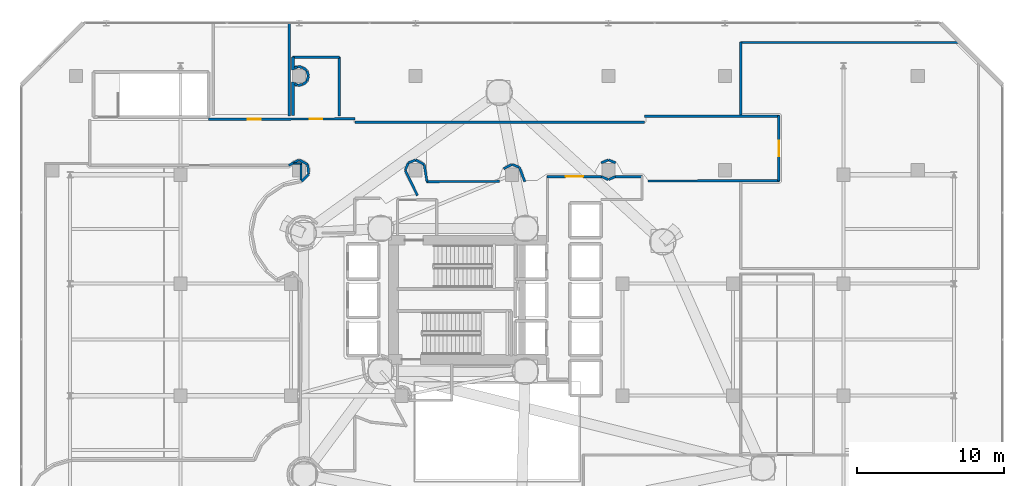
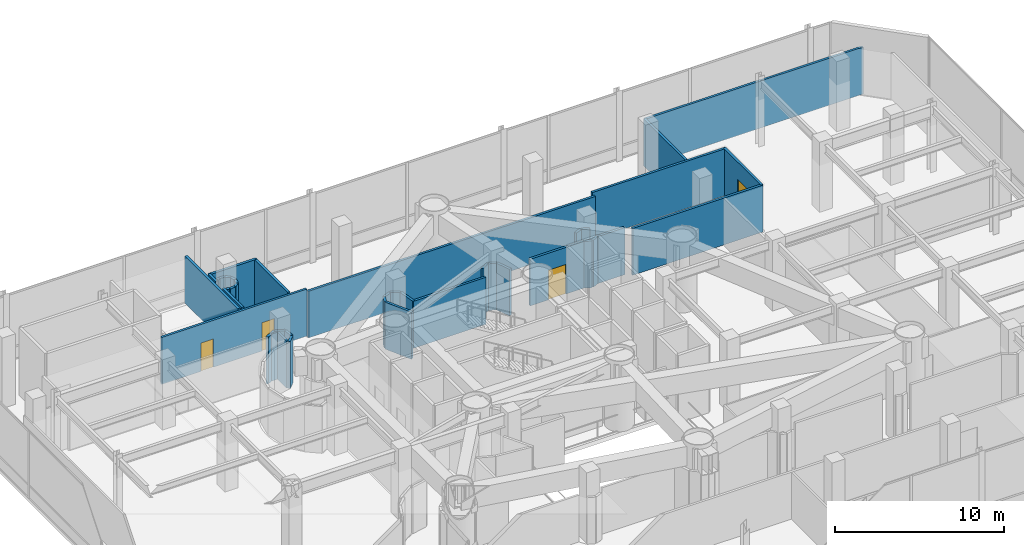
# One storey, part 33 of 40: 41 walls, 4 doors, 4 openings.
"""IFC4 building model written with IfcOpenShell, lengths in metres."""

from ifc_helpers import new_model, si_unit, direction, frame, frame_2d, origin, place, context, subcontext, project, spatial, rectangle, extrude, material, layer, layer_set, type_object, element, fill, save


model = new_model("IFC4")

# Units and contexts
model_context = context("Model", 3, precision=1e-05, world=origin(), true_north=direction((0.0, 1.0)))
body_context = subcontext(model_context, "Body", "Model", "MODEL_VIEW")
ifc_project = project(units=[si_unit("LENGTHUNIT", "METRE"), si_unit("AREAUNIT", "SQUARE_METRE"), si_unit("VOLUMEUNIT", "CUBIC_METRE"), si_unit("PLANEANGLEUNIT", "RADIAN"), si_unit("MASSUNIT", "GRAM", prefix="KILO")], contexts=[model_context])

# Site, building, storey
site_placement = place(None, origin())
site = spatial("IfcSite", under=ifc_project, at=site_placement, CompositionType="ELEMENT")
building_placement = place(site_placement, origin())
building = spatial("IfcBuilding", under=site, at=building_placement, Name="Qianvela Tower", CompositionType="ELEMENT")
storey_placement = place(building_placement, frame((0.0, 0.0, 20.60009765625)))
storey = spatial("IfcBuildingStorey", under=building, at=storey_placement, Name="L04", CompositionType="ELEMENT", Elevation=20.60009765625)

# Wall, opening, door
ifc_material_1 = material(Name="Fire-Rated Gypsum and Concrete Block", Category="concrete")
ifc_layer_1 = layer(ifc_material_1, 0.159912109375)
ifc_layer_set_1 = layer_set([ifc_layer_1], Name="Fire-Rated Gypsum and Concrete Block")
wall_type_1 = type_object("IfcWallType", Name="WT-CORR-160", PredefinedType="PARTITIONING", material=ifc_layer_set_1)
wall_1_placement = place(storey_placement, frame((39.8798828125, 37.069091796875, 0.0), z_axis=(0.0, 0.0, 1.0), x_axis=(1.0, 0.0, 0.0)))
wall_1 = element("IfcWall", 1, at=wall_1_placement, inside=storey, type_object=wall_type_1, Name="L04 Partition 15", PredefinedType="PARTITIONING", context=body_context, shape_type="SweptSolid", body=[
    extrude(rectangle(XDim=3.70751953125, YDim=0.159912109375, at=frame_2d((1.853759765625, 0.0))), origin(), (0.0, 0.0, 1.0), 3.3779296875),
])
opening_1_placement = place(wall_1_placement, frame((1.253662109375, 0.0, 0.0)))
opening_1 = element("IfcOpeningElement", 2, at=opening_1_placement, cuts=wall_1, Name="Opening D-LB1", PredefinedType="OPENING", context=body_context, shape_type="SweptSolid", body=[
    extrude(rectangle(XDim=1.199951171875, YDim=2.14990234375, at=frame_2d((0.60009765625, 1.074951171875))), frame((0.0, 0.08984375, 0.0), z_axis=(0.0, -1.0, 0.0), x_axis=(1.0, 0.0, 0.0)), (0.0, 0.0, 1.0), 0.179931640625),
])
ifc_material_2 = material(Name="Glazed Fire-Rated Steel Frame", Category="steel")
door_type_1 = type_object("IfcDoorType", Name="DT-LOBBY-FD90", OperationType="NOTDEFINED", PredefinedType="DOOR", material=ifc_material_2)
door_1_placement = place(opening_1_placement, origin())
door_1 = element("IfcDoor", 3, at=door_1_placement, inside=storey, type_object=door_type_1, Name="L04 Door L04 Lift Lobby to L04 Concourse Gallery Corridor", OperationType="SINGLE_SWING_LEFT", OverallHeight=2.14990234375, OverallWidth=1.199951171875, PredefinedType="DOOR", context=body_context, shape_type="SweptSolid", body=[
    extrude(rectangle(XDim=1.199951171875, YDim=2.14990234375, at=frame_2d((0.60009765625, 1.074951171875))), frame((0.0, 0.02490234375, 0.0), z_axis=(0.0, -1.0, 0.0), x_axis=(1.0, 0.0, 0.0)), (0.0, 0.0, 1.0), 0.050048828125),
])
fill(opening_1, door_1)

# Walls
wall_2_placement = place(storey_placement, frame((43.57470703125, 37.07177734375, 0.0), z_axis=(0.0, 0.0, 1.0), x_axis=(0.908696751383, -0.417456840913, 0.0)))
element("IfcWall", 4, at=wall_2_placement, inside=storey, type_object=wall_type_1, Name="L04 Partition 16", PredefinedType="PARTITIONING", context=body_context, shape_type="SweptSolid", body=[
    extrude(rectangle(XDim=0.5029296875, YDim=0.159912109375, at=frame_2d((0.25146484375, 0.0))), origin(), (0.0, 0.0, 1.0), 3.3779296875),
])
wall_3_placement = place(storey_placement, frame((44.0576171875, 36.86181640625, 0.0), z_axis=(0.0, 0.0, 1.0), x_axis=(0.908696751383, 0.417456840913, 0.0)))
element("IfcWall", 5, at=wall_3_placement, inside=storey, type_object=wall_type_1, Name="L04 Partition 17", PredefinedType="PARTITIONING", context=body_context, shape_type="SweptSolid", body=[
    extrude(rectangle(XDim=0.5029296875, YDim=0.159912109375, at=frame_2d((0.25146484375, 0.0))), origin(), (0.0, 0.0, 1.0), 3.39990234375),
])
wall_4_placement = place(storey_placement, frame((44.501708984375, 37.069091796875, 0.0), z_axis=(0.0, 0.0, 1.0), x_axis=(1.0, 0.0, 0.0)))
element("IfcWall", 6, at=wall_4_placement, inside=storey, type_object=wall_type_1, Name="L04 Partition 18", PredefinedType="PARTITIONING", context=body_context, shape_type="SweptSolid", body=[
    extrude(rectangle(XDim=1.8583984375, YDim=0.159912109375, at=frame_2d((0.92919921875, 0.0))), origin(), (0.0, 0.0, 1.0), 3.39990234375),
])
wall_5_placement = place(storey_placement, frame((23.221435546875, 36.742919921875, 0.0), z_axis=(0.0, 0.0, 1.0), x_axis=(0.696042953303, 0.718000144259, 0.0)))
element("IfcWall", 7, at=wall_5_placement, inside=storey, type_object=wall_type_1, Name="L04 Partition 109", PredefinedType="PARTITIONING", context=body_context, shape_type="SweptSolid", body=[
    extrude(rectangle(XDim=0.667236328125, YDim=0.159912109375, at=frame_2d((0.33349609375, 0.0))), origin(), (0.0, 0.0, 1.0), 3.39990234375),
])
for number, where, z_axis, x_axis, name in (
    (8, (23.694580078125, 37.24658203125, 0.0), (0.0, 0.0, 1.0), (-0.098164363006, 0.995170215509, 0.0), "L04 Partition 110"),
    (9, (23.6162109375, 37.899658203125, 0.0), (0.0, 0.0, 1.0), (-0.882042462076, 0.471169921679, 0.0), "L04 Partition 111"),
):
    element("IfcWall", number, at=place(storey_placement, frame(where, z_axis=z_axis, x_axis=x_axis)), inside=storey, type_object=wall_type_1, Name=name, PredefinedType="PARTITIONING", context=body_context, shape_type="SweptSolid", body=[
        extrude(rectangle(XDim=0.631591796875, YDim=0.159912109375, at=frame_2d((0.31591796875, 0.0))), origin(), (0.0, 0.0, 1.0), 3.39990234375),
    ])
wall_6_placement = place(storey_placement, frame((23.02978515625, 38.197265625, 0.0), z_axis=(0.0, 0.0, 1.0), x_axis=(-0.880007613405, -0.474959577595, 0.0)))
element("IfcWall", 10, at=wall_6_placement, inside=storey, type_object=wall_type_1, Name="L04 Partition 112", PredefinedType="PARTITIONING", context=body_context, shape_type="SweptSolid", body=[
    extrude(rectangle(XDim=0.77880859375, YDim=0.159912109375, at=frame_2d((0.389404296875, 0.0))), origin(), (0.0, 0.0, 1.0), 3.39990234375),
])

# Wall, openings, doors
wall_7_placement = place(storey_placement, frame((16.89990234375, 40.955810546875, 0.0), z_axis=(0.0, 0.0, 1.0), x_axis=(0.999994432489, 0.003336913407, 0.0)))
wall_7 = element("IfcWall", 11, at=wall_7_placement, inside=storey, type_object=wall_type_1, Name="L04 Partition 115 seg 2", PredefinedType="PARTITIONING", context=body_context, shape_type="SweptSolid", body=[
    extrude(rectangle(XDim=9.9501953125, YDim=0.159912109375, at=frame_2d((4.97509765625, 0.0))), origin(), (0.0, 0.0, 1.0), 3.39990234375),
])
opening_2_placement = place(wall_7_placement, frame((6.87255859375, 0.0, 0.0)))
opening_2 = element("IfcOpeningElement", 12, at=opening_2_placement, cuts=wall_7, Name="Opening D-WC1", PredefinedType="OPENING", context=body_context, shape_type="SweptSolid", body=[
    extrude(rectangle(XDim=0.860107421875, YDim=2.050048828125, at=frame_2d((0.43017578125, 1.02490234375))), frame((0.0, 0.08984375, 0.0), z_axis=(0.0, -1.0, 0.0), x_axis=(1.0, 0.0, 0.0)), (0.0, 0.0, 1.0), 0.179931640625),
])
opening_3_placement = place(wall_7_placement, frame((2.677734375, 0.0, 0.0)))
opening_3 = element("IfcOpeningElement", 13, at=opening_3_placement, cuts=wall_7, Name="Opening D-WC1", PredefinedType="OPENING", context=body_context, shape_type="SweptSolid", body=[
    extrude(rectangle(XDim=0.860107421875, YDim=2.050048828125, at=frame_2d((0.43017578125, 1.02490234375))), frame((0.0, 0.08984375, 0.0), z_axis=(0.0, -1.0, 0.0), x_axis=(1.0, 0.0, 0.0)), (0.0, 0.0, 1.0), 0.179931640625),
])
ifc_material_3 = material(Name="Moisture-Sealed Acoustic Timber Door", Category="wood")
door_type_2 = type_object("IfcDoorType", Name="DT-WC-860", OperationType="NOTDEFINED", PredefinedType="DOOR", material=ifc_material_3)
door_2_placement = place(opening_2_placement, origin())
door_2 = element("IfcDoor", 14, at=door_2_placement, inside=storey, type_object=door_type_2, Name="L04 Door L04 Accessible WC to L04 Concourse Gallery Corridor", OperationType="SINGLE_SWING_RIGHT", OverallHeight=2.050048828125, OverallWidth=0.860107421875, PredefinedType="DOOR", context=body_context, shape_type="SweptSolid", body=[
    extrude(rectangle(XDim=0.860107421875, YDim=2.050048828125, at=frame_2d((0.43017578125, 1.02490234375))), frame((0.0, 0.02490234375, 0.0), z_axis=(0.0, -1.0, 0.0), x_axis=(1.0, 0.0, 0.0)), (0.0, 0.0, 1.0), 0.050048828125),
])
fill(opening_2, door_2)
door_3_placement = place(opening_3_placement, origin())
door_3 = element("IfcDoor", 15, at=door_3_placement, inside=storey, type_object=door_type_2, Name="L04 Door L04 Public Washrooms to L04 Concourse Gallery Corridor", OperationType="SINGLE_SWING_RIGHT", OverallHeight=2.050048828125, OverallWidth=0.860107421875, PredefinedType="DOOR", context=body_context, shape_type="SweptSolid", body=[
    extrude(rectangle(XDim=0.860107421875, YDim=2.050048828125, at=frame_2d((0.43017578125, 1.02490234375))), frame((0.0, 0.02490234375, 0.0), z_axis=(0.0, -1.0, 0.0), x_axis=(1.0, 0.0, 0.0)), (0.0, 0.0, 1.0), 0.050048828125),
])
fill(opening_3, door_3)

# Walls
wall_8_placement = place(storey_placement, frame((26.85009765625, 40.76904296875, 0.0), z_axis=(0.0, 0.0, 1.0), x_axis=(1.0, 0.0, 0.0)))
element("IfcWall", 16, at=wall_8_placement, inside=storey, type_object=wall_type_1, Name="L04 Partition 116", PredefinedType="PARTITIONING", context=body_context, shape_type="SweptSolid", body=[
    extrude(rectangle(XDim=19.64990234375, YDim=0.159912109375, at=frame_2d((9.824951171875, 0.0))), origin(), (0.0, 0.0, 1.0), 3.3779296875),
])
wall_9_placement = place(storey_placement, frame((46.5, 41.1689453125, 0.0), z_axis=(0.0, 0.0, 1.0), x_axis=(1.0, 0.0, 0.0)))
element("IfcWall", 17, at=wall_9_placement, inside=storey, type_object=wall_type_1, Name="L04 Partition 117", PredefinedType="PARTITIONING", context=body_context, shape_type="SweptSolid", body=[
    extrude(rectangle(XDim=9.14990234375, YDim=0.159912109375, at=frame_2d((4.574951171875, 0.0))), origin(), (0.0, 0.0, 1.0), 3.39990234375),
])

# Wall, opening, door
wall_10_placement = place(storey_placement, frame((55.618896484375, 41.199951171875, 0.0), z_axis=(0.0, 0.0, 1.0), x_axis=(0.0, -1.0, 0.0)))
wall_10 = element("IfcWall", 18, at=wall_10_placement, inside=storey, type_object=wall_type_1, Name="L04 Partition 118", PredefinedType="PARTITIONING", context=body_context, shape_type="SweptSolid", body=[
    extrude(rectangle(XDim=4.441650390625, YDim=0.159912109375, at=frame_2d((2.220703125, 0.0))), origin(), (0.0, 0.0, 1.0), 3.39990234375),
])
opening_4_placement = place(wall_10_placement, frame((1.69580078125, 0.0, 0.0)))
opening_4 = element("IfcOpeningElement", 19, at=opening_4_placement, cuts=wall_10, Name="Opening D-PL1", PredefinedType="OPENING", context=body_context, shape_type="SweptSolid", body=[
    extrude(rectangle(XDim=1.050048828125, YDim=2.14990234375, at=frame_2d((0.52490234375, 1.074951171875))), frame((0.0, 0.08984375, 0.0), z_axis=(0.0, -1.0, 0.0), x_axis=(1.0, 0.0, 0.0)), (0.0, 0.0, 1.0), 0.179931640625),
])
ifc_material_4 = material(Name="Insulated Steel Fire Door Q355B", Category="steel")
door_type_3 = type_object("IfcDoorType", Name="DT-PLANT-FD90", OperationType="NOTDEFINED", PredefinedType="DOOR", material=ifc_material_4)
door_4_placement = place(opening_4_placement, origin())
door_4 = element("IfcDoor", 20, at=door_4_placement, inside=storey, type_object=door_type_3, Name="L04 Door L04 Podium Transfer AHU Plant Room to L04 Concourse Gallery Corridor", OperationType="SINGLE_SWING_RIGHT", OverallHeight=2.14990234375, OverallWidth=1.050048828125, PredefinedType="DOOR", context=body_context, shape_type="SweptSolid", body=[
    extrude(rectangle(XDim=1.050048828125, YDim=2.14990234375, at=frame_2d((0.52490234375, 1.074951171875))), frame((0.0, 0.02490234375, 0.0), z_axis=(0.0, -1.0, 0.0), x_axis=(1.0, 0.0, 0.0)), (0.0, 0.0, 1.0), 0.050048828125),
])
fill(opening_4, door_4)

# Walls
wall_11_placement = place(storey_placement, frame((55.64990234375, 36.789306640625, 0.0), z_axis=(0.0, 0.0, 1.0), x_axis=(-0.999996901459, -0.002489391821, 0.0)))
element("IfcWall", 21, at=wall_11_placement, inside=storey, type_object=wall_type_1, Name="L04 Partition 119", PredefinedType="PARTITIONING", context=body_context, shape_type="SweptSolid", body=[
    extrude(rectangle(XDim=8.924560546875, YDim=0.159912109375, at=frame_2d((4.46240234375, 0.0))), origin(), (0.0, 0.0, 1.0), 3.39990234375),
])
wall_12_placement = place(storey_placement, frame((44.5302734375, 38.00244140625, 0.0), z_axis=(0.0, 0.0, 1.0), x_axis=(-0.924045828763, 0.382281710714, 0.0)))
element("IfcWall", 22, at=wall_12_placement, inside=storey, type_object=wall_type_1, Name="L04 Partition 122", PredefinedType="PARTITIONING", context=body_context, shape_type="SweptSolid", body=[
    extrude(rectangle(XDim=0.512939453125, YDim=0.159912109375, at=frame_2d((0.25634765625, 0.0))), origin(), (0.0, 0.0, 1.0), 3.39990234375),
])
wall_13_placement = place(storey_placement, frame((44.03271484375, 38.198486328125, 0.0), z_axis=(0.0, 0.0, 1.0), x_axis=(-0.923976210744, -0.382449947024, 0.0)))
element("IfcWall", 23, at=wall_13_placement, inside=storey, type_object=wall_type_1, Name="L04 Partition 123", PredefinedType="PARTITIONING", context=body_context, shape_type="SweptSolid", body=[
    extrude(rectangle(XDim=0.5126953125, YDim=0.159912109375, at=frame_2d((0.25634765625, 0.0))), origin(), (0.0, 0.0, 1.0), 3.39990234375),
])
wall_14_placement = place(storey_placement, frame((38.372802734375, 36.726318359375, 0.0), z_axis=(0.0, 0.0, 1.0), x_axis=(-0.360220716068, 0.932867105067, 0.0)))
element("IfcWall", 24, at=wall_14_placement, inside=storey, type_object=wall_type_1, Name="L04 Partition 128", PredefinedType="PARTITIONING", context=body_context, shape_type="SweptSolid", body=[
    extrude(rectangle(XDim=1.027587890625, YDim=0.159912109375, at=frame_2d((0.513671875, 0.0))), origin(), (0.0, 0.0, 1.0), 3.3779296875),
])
wall_15_placement = place(storey_placement, frame((37.985595703125, 37.702392578125, 0.0), z_axis=(0.0, 0.0, 1.0), x_axis=(-0.923807847969, 0.382856448334, 0.0)))
element("IfcWall", 25, at=wall_15_placement, inside=storey, type_object=wall_type_1, Name="L04 Partition 129", PredefinedType="PARTITIONING", context=body_context, shape_type="SweptSolid", body=[
    extrude(rectangle(XDim=0.5126953125, YDim=0.159912109375, at=frame_2d((0.25634765625, 0.0))), origin(), (0.0, 0.0, 1.0), 3.3779296875),
])
wall_16_placement = place(storey_placement, frame((37.4853515625, 37.897216796875, 0.0), z_axis=(0.0, 0.0, 1.0), x_axis=(-0.882042462076, -0.471169921679, 0.0)))
element("IfcWall", 26, at=wall_16_placement, inside=storey, type_object=wall_type_1, Name="L04 Partition 130", PredefinedType="PARTITIONING", context=body_context, shape_type="SweptSolid", body=[
    extrude(rectangle(XDim=0.631591796875, YDim=0.159912109375, at=frame_2d((0.31591796875, 0.0))), origin(), (0.0, 0.0, 1.0), 3.3779296875),
])
wall_17_placement = place(storey_placement, frame((36.65478515625, 36.741943359375, 0.0), z_axis=(0.0, 0.0, 1.0), x_axis=(-0.999996836988, -0.00251515701, 0.0)))
element("IfcWall", 27, at=wall_17_placement, inside=storey, type_object=wall_type_1, Name="L04 Partition 132", PredefinedType="PARTITIONING", context=body_context, shape_type="SweptSolid", body=[
    extrude(rectangle(XDim=4.950439453125, YDim=0.159912109375, at=frame_2d((2.47509765625, 0.0))), origin(), (0.0, 0.0, 1.0), 3.39990234375),
])
wall_18_placement = place(storey_placement, frame((31.73486328125, 36.70361328125, 0.0), z_axis=(0.0, 0.0, 1.0), x_axis=(-0.161168629771, 0.986926883197, 0.0)))
element("IfcWall", 28, at=wall_18_placement, inside=storey, type_object=wall_type_1, Name="L04 Partition 133", PredefinedType="PARTITIONING", context=body_context, shape_type="SweptSolid", body=[
    extrude(rectangle(XDim=1.189208984375, YDim=0.159912109375, at=frame_2d((0.5947265625, 0.0))), origin(), (0.0, 0.0, 1.0), 3.39990234375),
])
wall_19_placement = place(storey_placement, frame((31.527099609375, 37.899658203125, 0.0), z_axis=(0.0, 0.0, 1.0), x_axis=(-0.882042462076, 0.471169921679, 0.0)))
element("IfcWall", 29, at=wall_19_placement, inside=storey, type_object=wall_type_1, Name="L04 Partition 134", PredefinedType="PARTITIONING", context=body_context, shape_type="SweptSolid", body=[
    extrude(rectangle(XDim=0.631591796875, YDim=0.159912109375, at=frame_2d((0.31591796875, 0.0))), origin(), (0.0, 0.0, 1.0), 3.39990234375),
])
wall_20_placement = place(storey_placement, frame((30.943603515625, 38.198486328125, 0.0), z_axis=(0.0, 0.0, 1.0), x_axis=(-0.924045828763, -0.382281710714, 0.0)))
element("IfcWall", 30, at=wall_20_placement, inside=storey, type_object=wall_type_1, Name="L04 Partition 135", PredefinedType="PARTITIONING", context=body_context, shape_type="SweptSolid", body=[
    extrude(rectangle(XDim=0.512939453125, YDim=0.159912109375, at=frame_2d((0.25634765625, 0.0))), origin(), (0.0, 0.0, 1.0), 3.3779296875),
])
wall_21_placement = place(storey_placement, frame((30.452880859375, 37.985595703125, 0.0), z_axis=(0.0, 0.0, 1.0), x_axis=(-0.382449947024, -0.923976210744, 0.0)))
element("IfcWall", 31, at=wall_21_placement, inside=storey, type_object=wall_type_1, Name="L04 Partition 136", PredefinedType="PARTITIONING", context=body_context, shape_type="SweptSolid", body=[
    extrude(rectangle(XDim=0.5126953125, YDim=0.159912109375, at=frame_2d((0.25634765625, 0.0))), origin(), (0.0, 0.0, 1.0), 3.3779296875),
])
wall_22_placement = place(storey_placement, frame((30.257568359375, 37.486572265625, 0.0), z_axis=(0.0, 0.0, 1.0), x_axis=(0.435698821732, -0.900092515657, 0.0)))
element("IfcWall", 32, at=wall_22_placement, inside=storey, type_object=wall_type_1, Name="L04 Partition 137", PredefinedType="PARTITIONING", context=body_context, shape_type="SweptSolid", body=[
    extrude(rectangle(XDim=1.897216796875, YDim=0.159912109375, at=frame_2d((0.94873046875, 0.0))), origin(), (0.0, 0.0, 1.0), 3.39990234375),
])
wall_23_placement = place(storey_placement, frame((53.031005859375, 41.261962890625, 0.0), z_axis=(0.0, 0.0, 1.0), x_axis=(0.0, 1.0, 0.0)))
element("IfcWall", 33, at=wall_23_placement, inside=storey, type_object=wall_type_1, Name="L04 Partition 233", PredefinedType="PARTITIONING", context=body_context, shape_type="SweptSolid", body=[
    extrude(rectangle(XDim=4.93798828125, YDim=0.159912109375, at=frame_2d((2.468994140625, 0.0))), origin(), (0.0, 0.0, 1.0), 3.39990234375),
])
wall_24_placement = place(storey_placement, frame((53.0, 46.1689453125, 0.0), z_axis=(0.0, 0.0, 1.0), x_axis=(1.0, 0.0, 0.0)))
element("IfcWall", 34, at=wall_24_placement, inside=storey, type_object=wall_type_1, Name="L04 Partition 234", PredefinedType="PARTITIONING", context=body_context, shape_type="SweptSolid", body=[
    extrude(rectangle(XDim=14.950927734375, YDim=0.159912109375, at=frame_2d((7.4755859375, 0.0))), origin(), (0.0, 0.0, 1.0), 3.39990234375),
])
ifc_material_5 = material(Name="Lightweight Gypsum Room Partition")
ifc_layer_2 = layer(ifc_material_5, 0.10498046875)
ifc_layer_set_2 = layer_set([ifc_layer_2], Name="Lightweight Gypsum Room Partition")
wall_type_2 = type_object("IfcWallType", Name="WT-PART-105", PredefinedType="PARTITIONING", material=ifc_layer_set_2)
wall_25_placement = place(storey_placement, frame((22.700439453125, 37.968994140625, 0.0), z_axis=(0.0, 0.0, 1.0), x_axis=(1.0, 0.0, 0.0)))
element("IfcWall", 35, at=wall_25_placement, inside=storey, type_object=wall_type_2, Name="L04 Partition 258", PredefinedType="PARTITIONING", context=body_context, shape_type="SweptSolid", body=[
    extrude(rectangle(XDim=0.49951171875, YDim=0.10498046875, at=frame_2d((0.249755859375, 0.0))), origin(), (0.0, 0.0, 1.0), 3.39990234375),
])
ifc_material_6 = material(Name="Moisture-Resistant Acoustic Plumbing Wall")
ifc_layer_3 = layer(ifc_material_6, 0.175048828125)
ifc_layer_set_3 = layer_set([ifc_layer_3], Name="Moisture-Resistant Acoustic Plumbing Wall")
wall_type_3 = type_object("IfcWallType", Name="WT-PLUMB-175", PredefinedType="PLUMBINGWALL", material=ifc_layer_set_3)
wall_26_placement = place(storey_placement, frame((22.631103515625, 41.199951171875, 0.0), z_axis=(0.0, 0.0, 1.0), x_axis=(0.0, 1.0, 0.0)))
element("IfcWall", 36, at=wall_26_placement, inside=storey, type_object=wall_type_3, Name="L04 Partition 183", PredefinedType="PLUMBINGWALL", context=body_context, shape_type="SweptSolid", body=[
    extrude(rectangle(XDim=2.284912109375, YDim=0.175048828125, at=frame_2d((1.142578125, 0.0))), origin(), (0.0, 0.0, 1.0), 3.39990234375),
])
wall_27_placement = place(storey_placement, frame((22.746337890625, 43.366943359375, 0.0), z_axis=(0.0, 0.0, 1.0), x_axis=(0.871575537125, -0.490261239633, 0.0)))
element("IfcWall", 37, at=wall_27_placement, inside=storey, type_object=wall_type_3, Name="L04 Partition 184", PredefinedType="PLUMBINGWALL", context=body_context, shape_type="SweptSolid", body=[
    extrude(rectangle(XDim=0.188232421875, YDim=0.175048828125, at=frame_2d((0.09423828125, 0.0))), origin(), (0.0, 0.0, 1.0), 3.39990234375),
])
wall_28_placement = place(storey_placement, frame((22.9287109375, 43.27099609375, 0.0), z_axis=(0.0, 0.0, 1.0), x_axis=(0.995193004206, 0.097933060705, 0.0)))
element("IfcWall", 38, at=wall_28_placement, inside=storey, type_object=wall_type_3, Name="L04 Partition 185", PredefinedType="PLUMBINGWALL", context=body_context, shape_type="SweptSolid", body=[
    extrude(rectangle(XDim=0.35400390625, YDim=0.175048828125, at=frame_2d((0.177001953125, 0.0))), origin(), (0.0, 0.0, 1.0), 3.39990234375),
])
for number, where, z_axis, x_axis, name in (
    (39, (23.297607421875, 43.3125, 0.0), (0.0, 0.0, 1.0), (0.773281307259, 0.634063103992, 0.0), "L04 Partition 186"),
    (40, (23.58154296875, 43.552001953125, 0.0), (0.0, 0.0, 1.0), (0.290064762301, 0.957007018611, 0.0), "L04 Partition 187"),
):
    element("IfcWall", number, at=place(storey_placement, frame(where, z_axis=z_axis, x_axis=x_axis)), inside=storey, type_object=wall_type_3, Name=name, PredefinedType="PLUMBINGWALL", context=body_context, shape_type="SweptSolid", body=[
        extrude(rectangle(XDim=0.354248046875, YDim=0.175048828125, at=frame_2d((0.17724609375, 0.0))), origin(), (0.0, 0.0, 1.0), 3.39990234375),
    ])
wall_29_placement = place(storey_placement, frame((23.684326171875, 43.908935546875, 0.0), z_axis=(0.0, 0.0, 1.0), x_axis=(-0.290256142171, 0.956948991291, 0.0)))
element("IfcWall", 41, at=wall_29_placement, inside=storey, type_object=wall_type_3, Name="L04 Partition 188", PredefinedType="PLUMBINGWALL", context=body_context, shape_type="SweptSolid", body=[
    extrude(rectangle(XDim=0.35400390625, YDim=0.175048828125, at=frame_2d((0.177001953125, 0.0))), origin(), (0.0, 0.0, 1.0), 3.39990234375),
])
wall_30_placement = place(storey_placement, frame((23.571533203125, 44.262939453125, 0.0), z_axis=(0.0, 0.0, 1.0), x_axis=(-0.773281307259, 0.634063103992, 0.0)))
element("IfcWall", 42, at=wall_30_placement, inside=storey, type_object=wall_type_3, Name="L04 Partition 189", PredefinedType="PLUMBINGWALL", context=body_context, shape_type="SweptSolid", body=[
    extrude(rectangle(XDim=0.354248046875, YDim=0.175048828125, at=frame_2d((0.17724609375, 0.0))), origin(), (0.0, 0.0, 1.0), 3.39990234375),
])
wall_31_placement = place(storey_placement, frame((23.281005859375, 44.494384765625, 0.0), z_axis=(0.0, 0.0, 1.0), x_axis=(-0.995193004206, 0.097933060705, 0.0)))
element("IfcWall", 43, at=wall_31_placement, inside=storey, type_object=wall_type_3, Name="L04 Partition 190", PredefinedType="PLUMBINGWALL", context=body_context, shape_type="SweptSolid", body=[
    extrude(rectangle(XDim=0.35400390625, YDim=0.175048828125, at=frame_2d((0.177001953125, 0.0))), origin(), (0.0, 0.0, 1.0), 3.39990234375),
])
wall_32_placement = place(storey_placement, frame((22.910400390625, 44.525390625, 0.0), z_axis=(0.0, 0.0, 1.0), x_axis=(-0.871575537125, -0.490261239633, 0.0)))
element("IfcWall", 44, at=wall_32_placement, inside=storey, type_object=wall_type_3, Name="L04 Partition 191", PredefinedType="PLUMBINGWALL", context=body_context, shape_type="SweptSolid", body=[
    extrude(rectangle(XDim=0.188232421875, YDim=0.175048828125, at=frame_2d((0.09423828125, 0.0))), origin(), (0.0, 0.0, 1.0), 3.39990234375),
])
wall_33_placement = place(storey_placement, frame((22.631103515625, 44.315185546875, 0.0), z_axis=(0.0, 0.0, 1.0), x_axis=(0.0, 1.0, 0.0)))
element("IfcWall", 45, at=wall_33_placement, inside=storey, type_object=wall_type_3, Name="L04 Partition 192", PredefinedType="PLUMBINGWALL", context=body_context, shape_type="SweptSolid", body=[
    extrude(rectangle(XDim=0.884765625, YDim=0.175048828125, at=frame_2d((0.4423828125, 0.0))), origin(), (0.0, 0.0, 1.0), 3.39990234375),
])
wall_34_placement = place(storey_placement, frame((22.60009765625, 45.1689453125, 0.0), z_axis=(0.0, 0.0, 1.0), x_axis=(1.0, 0.0, 0.0)))
element("IfcWall", 46, at=wall_34_placement, inside=storey, type_object=wall_type_3, Name="L04 Partition 193", PredefinedType="PLUMBINGWALL", context=body_context, shape_type="SweptSolid", body=[
    extrude(rectangle(XDim=3.199951171875, YDim=0.175048828125, at=frame_2d((1.60009765625, 0.0))), origin(), (0.0, 0.0, 1.0), 3.39990234375),
])
wall_35_placement = place(storey_placement, frame((25.76904296875, 45.199951171875, 0.0), z_axis=(0.0, 0.0, 1.0), x_axis=(0.0, -1.0, 0.0)))
element("IfcWall", 47, at=wall_35_placement, inside=storey, type_object=wall_type_3, Name="L04 Partition 194", PredefinedType="PLUMBINGWALL", context=body_context, shape_type="SweptSolid", body=[
    extrude(rectangle(XDim=4.0, YDim=0.175048828125, at=frame_2d((2.0, 0.0))), origin(), (0.0, 0.0, 1.0), 3.39990234375),
])
wall_36_placement = place(storey_placement, frame((22.368896484375, 47.52001953125, 0.0), z_axis=(0.0, 0.0, 1.0), x_axis=(0.0, -1.0, 0.0)))
element("IfcWall", 48, at=wall_36_placement, inside=storey, type_object=wall_type_3, Name="L04 Partition 261 seg 1", PredefinedType="PLUMBINGWALL", context=body_context, shape_type="SweptSolid", body=[
    extrude(rectangle(XDim=6.320068359375, YDim=0.175048828125, at=frame_2d((3.16015625, 0.0))), origin(), (0.0, 0.0, 1.0), 3.39990234375),
])
ifc_material_7 = material(Name="Acoustic Double Gypsum Stud Partition")
ifc_layer_4 = layer(ifc_material_7, 0.139892578125)
ifc_layer_set_4 = layer_set([ifc_layer_4], Name="Acoustic Double Gypsum Stud Partition")
wall_type_4 = type_object("IfcWallType", Name="WT-ROOM-140", PredefinedType="PARTITIONING", material=ifc_layer_set_4)
wall_37_placement = place(storey_placement, frame((23.1689453125, 38.0, 0.0), z_axis=(0.0, 0.0, 1.0), x_axis=(0.0, -1.0, 0.0)))
element("IfcWall", 49, at=wall_37_placement, inside=storey, type_object=wall_type_4, Name="L04 Partition 259", PredefinedType="PARTITIONING", context=body_context, shape_type="SweptSolid", body=[
    extrude(rectangle(XDim=1.15478515625, YDim=0.139892578125, at=frame_2d((0.577392578125, 0.0))), origin(), (0.0, 0.0, 1.0), 3.39990234375),
])

save(model, "model.ifc")
